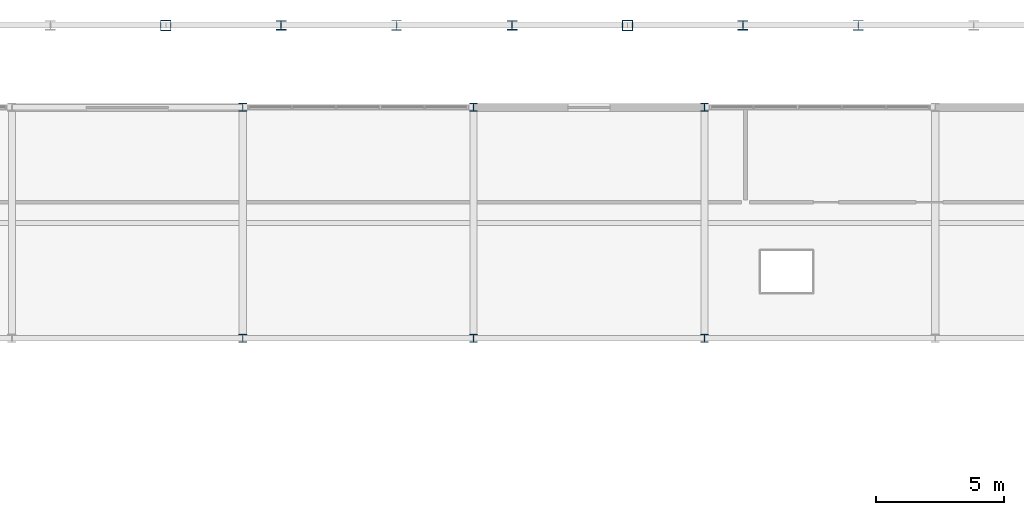
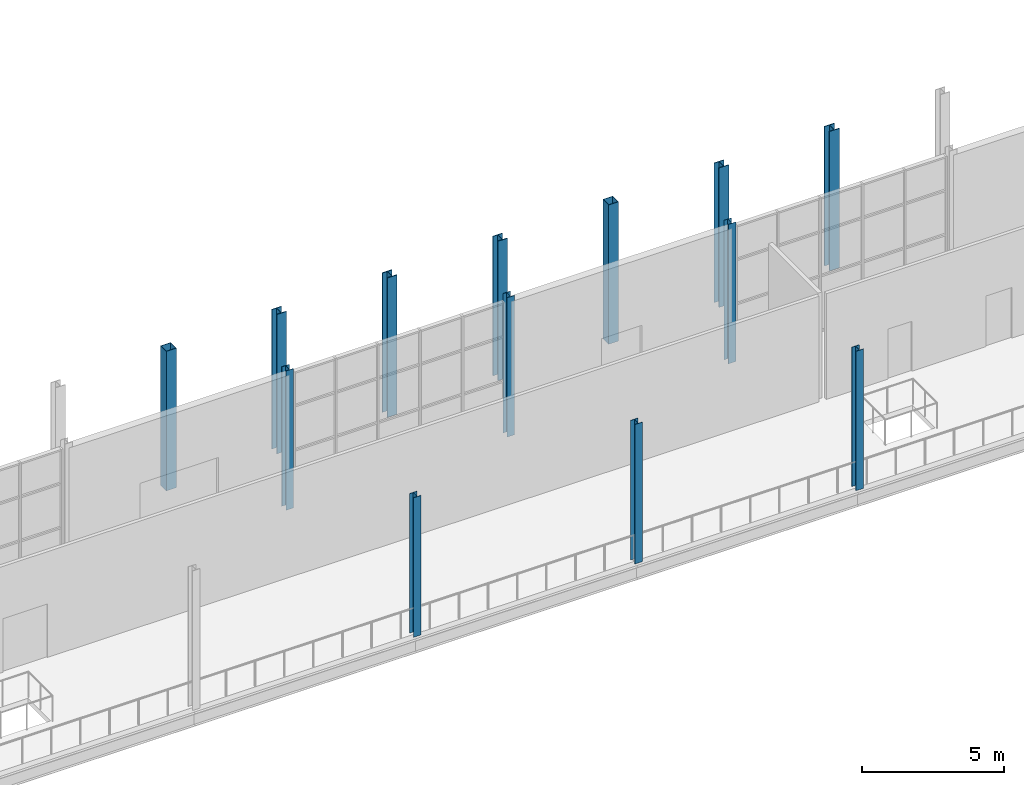
# One storey, part 15 of 159: 13 columns.
"""IFC4 building model written with IfcOpenShell, lengths in metres."""

from ifc_helpers import new_model, si_unit, direction, frame, origin, origin_2d, place, context, subcontext, project, spatial, hollow_rectangle, i_section, extrude, material, material_profile, profile_set, type_object, element, save


model = new_model("IFC4")

# Units and contexts
model_context = context("Model", 3, precision=1e-05, world=origin(), true_north=direction((0.0, 1.0)))
body_context = subcontext(model_context, "Body", "Model", "MODEL_VIEW")
ifc_project = project(units=[si_unit("LENGTHUNIT", "METRE"), si_unit("AREAUNIT", "SQUARE_METRE"), si_unit("VOLUMEUNIT", "CUBIC_METRE"), si_unit("PLANEANGLEUNIT", "RADIAN"), si_unit("MASSUNIT", "GRAM", prefix="KILO")], contexts=[model_context])

# Site, building, storey
site_placement = place(None, origin())
site = spatial("IfcSite", under=ifc_project, at=site_placement, CompositionType="ELEMENT")
building_placement = place(site_placement, origin())
building = spatial("IfcBuilding", under=site, at=building_placement, Name="Cazmaro Siding Exhibition Halls", CompositionType="ELEMENT")
storey_placement = place(building_placement, frame((0.0, 0.0, 6.0)))
storey = spatial("IfcBuildingStorey", under=building, at=storey_placement, Name="L01", CompositionType="ELEMENT", Elevation=6.0)

# Columns
ifc_material_1 = material(Name="Steel ASTM A992 Grade 50", Category="steel")
ifc_material_profile_1 = material_profile(ifc_material_1, i_section(OverallWidth=0.39208984375, OverallDepth=0.3759765625, WebThickness=0.01708984375, FlangeThickness=0.028076171875, at=origin_2d()), Name="W14X145")
ifc_profile_set_1 = profile_set([ifc_material_profile_1], Name="Steel ASTM A992 Grade 50")
column_type_1 = type_object("IfcColumnType", Name="C-03", PredefinedType="COLUMN", material=ifc_profile_set_1)
for number, where, z_axis, x_axis, name in (
    (1, (103.5, 124.0, 0.0), (0.0, 0.0, 1.0), (1.0, 0.0, 0.0), "Column C-03 COL-0083"),
    (2, (112.5, 124.0, 0.0), (0.0, 0.0, 1.0), (1.0, 0.0, 0.0), "Column C-03 COL-0095"),
    (3, (121.5, 124.0, 0.0), (0.0, 0.0, 1.0), (1.0, 0.0, 0.0), "Column C-03 COL-0107"),
):
    element("IfcColumn", number, at=place(storey_placement, frame(where, z_axis=z_axis, x_axis=x_axis)), inside=storey, type_object=column_type_1, Name=name, PredefinedType="COLUMN", context=body_context, shape_type="SweptSolid", body=[
        extrude(i_section(OverallWidth=0.39208984375, OverallDepth=0.3759765625, WebThickness=0.01708984375, FlangeThickness=0.028076171875, at=origin_2d()), origin(), (0.0, 0.0, 1.0), 6.0),
    ])
ifc_material_2 = material(Name="Steel ASTM A992 Grade 50", Category="steel")
ifc_material_profile_2 = material_profile(ifc_material_2, i_section(OverallWidth=0.304931640625, OverallDepth=0.306884765625, WebThickness=0.010009765625, FlangeThickness=0.014892578125, at=origin_2d()), Name="W12X65")
ifc_profile_set_2 = profile_set([ifc_material_profile_2], Name="Steel ASTM A992 Grade 50")
column_type_2 = type_object("IfcColumnType", Name="C-06", PredefinedType="COLUMN", material=ifc_profile_set_2)
for number, where, z_axis, x_axis, name in (
    (4, (102.0, 111.800048828125, 0.0), (0.0, 0.0, 1.0), (1.0, 0.0, 0.0), "Column C-06 COL-0321"),
    (5, (102.0, 120.800048828125, 0.0), (0.0, 0.0, 1.0), (1.0, 0.0, 0.0), "Column C-06 COL-0323"),
    (6, (111.0, 111.800048828125, 0.0), (0.0, 0.0, 1.0), (1.0, 0.0, 0.0), "Column C-06 COL-0331"),
    (7, (111.0, 120.800048828125, 0.0), (0.0, 0.0, 1.0), (1.0, 0.0, 0.0), "Column C-06 COL-0333"),
    (8, (120.0, 111.800048828125, 0.0), (0.0, 0.0, 1.0), (1.0, 0.0, 0.0), "Column C-06 COL-0341"),
    (9, (120.0, 120.800048828125, 0.0), (0.0, 0.0, 1.0), (1.0, 0.0, 0.0), "Column C-06 COL-0343"),
):
    element("IfcColumn", number, at=place(storey_placement, frame(where, z_axis=z_axis, x_axis=x_axis)), inside=storey, type_object=column_type_2, Name=name, PredefinedType="COLUMN", context=body_context, shape_type="SweptSolid", body=[
        extrude(i_section(OverallWidth=0.304931640625, OverallDepth=0.306884765625, WebThickness=0.010009765625, FlangeThickness=0.014892578125, at=origin_2d()), origin(), (0.0, 0.0, 1.0), 6.0),
    ])
ifc_material_3 = material(Name="Steel ASTM A992 Grade 50", Category="steel")
ifc_material_profile_3 = material_profile(ifc_material_3, i_section(OverallWidth=0.39892578125, OverallDepth=0.386962890625, WebThickness=0.02099609375, FlangeThickness=0.032958984375, at=origin_2d()), Name="W14X176")
ifc_profile_set_3 = profile_set([ifc_material_profile_3], Name="Steel ASTM A992 Grade 50")
column_type_3 = type_object("IfcColumnType", Name="C-11", PredefinedType="COLUMN", material=ifc_profile_set_3)
for number, where, z_axis, x_axis, name in (
    (10, (108.0, 124.0, 0.0), (0.0, 0.0, 1.0), (1.0, 0.0, 0.0), "Column C-11 COL-0089"),
    (11, (126.0, 124.0, 0.0), (0.0, 0.0, 1.0), (1.0, 0.0, 0.0), "Column C-11 COL-0113"),
):
    element("IfcColumn", number, at=place(storey_placement, frame(where, z_axis=z_axis, x_axis=x_axis)), inside=storey, type_object=column_type_3, Name=name, PredefinedType="COLUMN", context=body_context, shape_type="SweptSolid", body=[
        extrude(i_section(OverallWidth=0.39892578125, OverallDepth=0.386962890625, WebThickness=0.02099609375, FlangeThickness=0.032958984375, at=origin_2d()), origin(), (0.0, 0.0, 1.0), 6.0),
    ])
ifc_material_4 = material(Name="Steel ASTM A500 Grade C", Category="steel")
ifc_material_profile_4 = material_profile(ifc_material_4, hollow_rectangle(XDim=0.406005859375, YDim=0.406005859375, WallThickness=0.014892578125, at=origin_2d()), Name="HSS16X16X5/8")
ifc_profile_set_4 = profile_set([ifc_material_profile_4], Name="Steel ASTM A500 Grade C")
column_type_4 = type_object("IfcColumnType", Name="PL-01", PredefinedType="PILASTER", material=ifc_profile_set_4)
for number, where, z_axis, x_axis, name in (
    (12, (99.0, 124.0, 0.0), (0.0, 0.0, 1.0), (1.0, 0.0, 0.0), "Column PL-01 COL-0077"),
    (13, (117.0, 124.0, 0.0), (0.0, 0.0, 1.0), (1.0, 0.0, 0.0), "Column PL-01 COL-0101"),
):
    element("IfcColumn", number, at=place(storey_placement, frame(where, z_axis=z_axis, x_axis=x_axis)), inside=storey, type_object=column_type_4, Name=name, PredefinedType="PILASTER", context=body_context, shape_type="SweptSolid", body=[
        extrude(hollow_rectangle(XDim=0.406005859375, YDim=0.406005859375, WallThickness=0.014892578125, at=origin_2d()), origin(), (0.0, 0.0, 1.0), 6.0),
    ])

save(model, "model.ifc")
